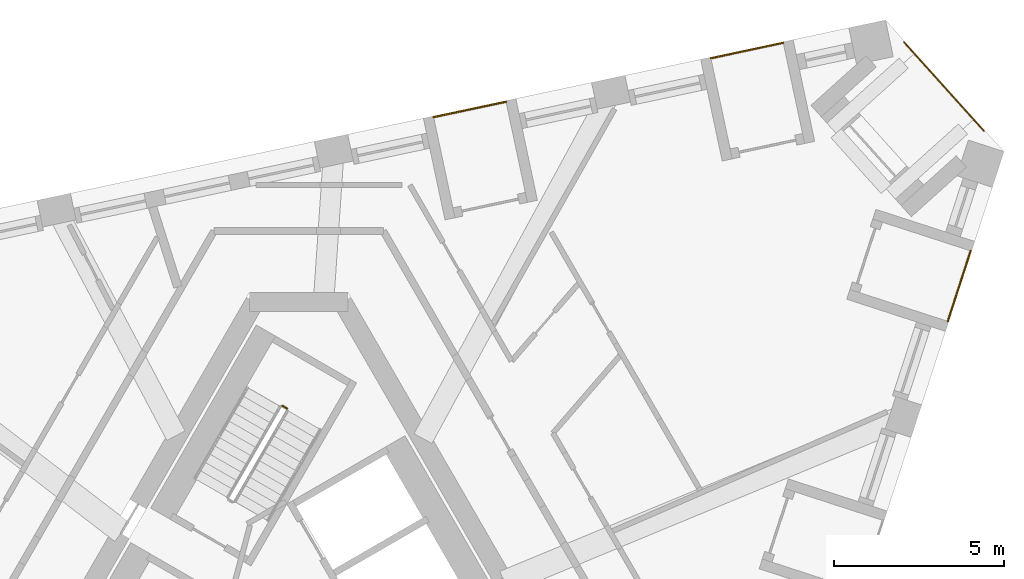
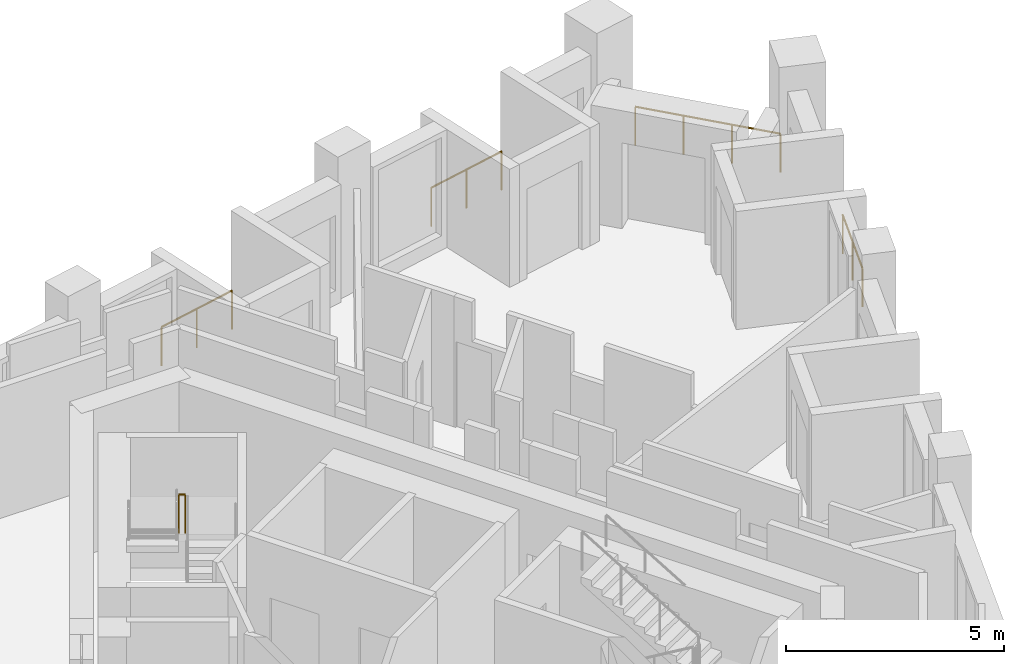
# One storey, part 12 of 12: 5 railings.
"""IFC4 building model written with IfcOpenShell, lengths in metres."""

import ifcopenshell
import ifcopenshell.guid

model = None  # the IFC model being written
_history = None  # IfcOwnerHistory: only IFC2X3 demands one
_inside = {}  # id of a spatial element -> (the spatial element, [elements in it])
_under = {}  # id of a project, library or spatial element -> (it, [spatial elements below it])
_declared = {}  # id of a project -> (the project, [libraries it declares])
_typed = {}  # id of a type object -> (the type object, [elements of that type])
_made_of = {}  # id of a material, layer set ... -> (it, [elements and type objects made of it])


def new_model(schema):
    """Start an empty IFC model of exactly this schema.

    Asked for "IFC4X3", IfcOpenShell would pick the latest addendum, in which some entities
    have other attributes; the version numbers below select the first issue.
    IFC2X3 requires an IfcOwnerHistory on every rooted entity: one is made here for all.
    """
    global model, _history
    if schema == "IFC4X3":
        model = ifcopenshell.file(schema_version=(4, 3, 0, 0))
    else:
        model = ifcopenshell.file(schema=schema)
    _inside.clear()
    _under.clear()
    _declared.clear()
    _typed.clear()
    _made_of.clear()
    _history = None
    if model.schema == "IFC2X3":
        org = make("IfcOrganization", Name="unknown")
        user = make(
            "IfcPersonAndOrganization",
            ThePerson=make("IfcPerson", FamilyName="unknown"),
            TheOrganization=org,
        )
        app = make(
            "IfcApplication",
            ApplicationDeveloper=org,
            Version="unknown",
            ApplicationFullName="unknown",
            ApplicationIdentifier="unknown",
        )
        _history = make(
            "IfcOwnerHistory",
            OwningUser=user,
            OwningApplication=app,
            ChangeAction="ADDED",
            CreationDate=0,
        )
    return model


def make(cls, **values):
    """One entity of the class cls with the attributes given. An attribute that is None is left unset."""
    return model.create_entity(
        cls, **{name: value for name, value in values.items() if value is not None}
    )


def rooted(cls, **values):
    """An entity with a GlobalId (a new one), such as an element, a storey or a relation."""
    return make(cls, GlobalId=ifcopenshell.guid.new(), OwnerHistory=_history, **values)


def si_unit(unit_type, name, prefix=None):
    """IfcSIUnit, for example si_unit("LENGTHUNIT", "METRE", prefix="MILLI")."""
    return make("IfcSIUnit", UnitType=unit_type, Prefix=prefix, Name=name)


def assignment(units):
    """IfcUnitAssignment: the units of a project."""
    return None if units is None else make("IfcUnitAssignment", Units=units)


def point(xyz):
    """IfcCartesianPoint."""
    return None if xyz is None else make("IfcCartesianPoint", Coordinates=xyz)


def direction(xyz):
    """IfcDirection."""
    return None if xyz is None else make("IfcDirection", DirectionRatios=xyz)


def frame(location, z_axis=None, x_axis=None):
    """IfcAxis2Placement3D, a coordinate frame: its origin and axes. An axis left out is left unset."""
    return make(
        "IfcAxis2Placement3D",
        Location=point(location),
        Axis=direction(z_axis),
        RefDirection=direction(x_axis),
    )


def frame_2d(location, x_axis=None):
    """IfcAxis2Placement2D, a coordinate frame in the plane: its origin and x axis."""
    return make(
        "IfcAxis2Placement2D", Location=point(location), RefDirection=direction(x_axis)
    )


def origin():
    """The frame at (0, 0, 0) with its axes left unset."""
    return frame((0.0, 0.0, 0.0))


def origin_2d():
    """The frame at (0, 0) in the plane with its x axis left unset."""
    return frame_2d((0.0, 0.0))


def place(relative_to, where):
    """IfcLocalPlacement: puts the frame where relative to a parent placement (None: the world)."""
    return make(
        "IfcLocalPlacement", PlacementRelTo=relative_to, RelativePlacement=where
    )


def context(
    kind, dimensions, precision=None, world=None, true_north=None, identifier=None
):
    """IfcGeometricRepresentationContext, for example the 3D "Model" context."""
    return make(
        "IfcGeometricRepresentationContext",
        ContextIdentifier=identifier,
        ContextType=kind,
        CoordinateSpaceDimension=dimensions,
        Precision=precision,
        WorldCoordinateSystem=world,
        TrueNorth=true_north,
    )


def subcontext(parent, identifier, kind, view, scale=None):
    """IfcGeometricRepresentationSubContext, for example "Body" below "Model"."""
    return make(
        "IfcGeometricRepresentationSubContext",
        ContextIdentifier=identifier,
        ContextType=kind,
        ParentContext=parent,
        TargetScale=scale,
        TargetView=view,
    )


def project(units=None, contexts=None):
    """IfcProject with its units and contexts."""
    return rooted(
        "IfcProject",
        Name="project",
        RepresentationContexts=contexts,
        UnitsInContext=assignment(units),
    )


def spatial(cls, under=None, at=None, **own):
    """A site, building, storey or space (cls), placed at a placement, below another one or the project."""
    s = rooted(cls, ObjectPlacement=at, **own)
    if under is not None:
        _under.setdefault(under.id(), (under, []))[1].append(s)
    return s


def profile(cls, at=None, kind="AREA", **sizes):
    """A parametric profile (cls). Its sizes go by their IFC names, for example OverallWidth=200.0."""
    return make(cls, ProfileType=kind, Position=at, **sizes)


def circle(**sizes):
    """IfcCircleProfileDef."""
    return profile("IfcCircleProfileDef", **sizes)


def extrude(swept, where, along, depth):
    """IfcExtrudedAreaSolid: the profile swept, set in the frame where, extruded along a direction by depth."""
    return make(
        "IfcExtrudedAreaSolid",
        SweptArea=swept,
        Position=where,
        ExtrudedDirection=direction(along),
        Depth=depth,
    )


def shape(context_of_items, identifier, shape_type, items):
    """IfcShapeRepresentation: the items that make up one representation, for example the "Body"."""
    return make(
        "IfcShapeRepresentation",
        ContextOfItems=context_of_items,
        RepresentationIdentifier=identifier,
        RepresentationType=shape_type,
        Items=items,
    )


def material(Name=None, Category=None):
    """IfcMaterial."""
    return make("IfcMaterial", Name=Name, Category=Category)


def made_of(thing, what):
    """Note that an element or type object is made of a material, layer set ...; save() writes the relation."""
    if what is not None:
        _made_of.setdefault(what.id(), (what, []))[1].append(thing)
    return thing


def type_object(cls, material=None, **own):
    """A type object (cls), such as IfcWallType, which elements share."""
    return made_of(rooted(cls, **own), material)


def element(
    cls,
    number,
    at=None,
    inside=None,
    cuts=None,
    type_object=None,
    material=None,
    context=None,
    identifier="Body",
    shape_type=None,
    held_by="IfcProductDefinitionShape",
    body=None,
    shapes=None,
    **own,
):
    """One element of the class cls, such as IfcWall. Its Tag is "e" and its number.

    at: its placement. inside: the storey or other place that contains it. cuts: it is an
    opening in that element (IfcRelVoidsElement). A single representation is given by context,
    identifier, shape_type and body (its items); several are given by shapes. held_by: the class
    of the entity that holds the representations. save() writes the other relations.
    """
    e = rooted(cls, Tag="e%d" % number, ObjectPlacement=at, **own)
    if body is not None:
        shapes = [shape(context, identifier, shape_type, body)]
    if shapes is not None:
        e.Representation = make(held_by, Representations=shapes)
    if inside is not None:
        _inside.setdefault(inside.id(), (inside, []))[1].append(e)
    if cuts is not None:
        rooted(
            "IfcRelVoidsElement", RelatingBuildingElement=cuts, RelatedOpeningElement=e
        )
    if type_object is not None:
        _typed.setdefault(type_object.id(), (type_object, []))[1].append(e)
    return made_of(e, material)


def aggregate(whole, parts):
    """IfcRelAggregates: a whole, such as a stair, and the parts it consists of."""
    return rooted("IfcRelAggregates", RelatingObject=whole, RelatedObjects=parts)


def save(model, path):
    """Write the relations noted so far, then the file.

    IfcRelAggregates (storeys below a building ...), IfcRelContainedInSpatialStructure (elements
    in a storey), IfcRelDefinesByType, IfcRelAssociatesMaterial and IfcRelDeclares: one each for
    every whole, place, type object, material and project.
    """
    for whole, parts in _under.values():
        aggregate(whole, parts)
    for where, things in _inside.values():
        rooted(
            "IfcRelContainedInSpatialStructure",
            RelatedElements=things,
            RelatingStructure=where,
        )
    for kind, things in _typed.values():
        rooted("IfcRelDefinesByType", RelatedObjects=things, RelatingType=kind)
    for what, things in _made_of.values():
        rooted("IfcRelAssociatesMaterial", RelatedObjects=things, RelatingMaterial=what)
    for by, libraries in _declared.values():
        rooted("IfcRelDeclares", RelatingContext=by, RelatedDefinitions=libraries)
    model.write(path)


model = new_model("IFC4")

# Units and contexts
model_context = context("Model", 3, precision=1e-05, world=origin(), true_north=direction((0.0, 1.0)))
body_context = subcontext(model_context, "Body", "Model", "MODEL_VIEW")
ifc_project = project(units=[si_unit("LENGTHUNIT", "METRE"), si_unit("AREAUNIT", "SQUARE_METRE"), si_unit("VOLUMEUNIT", "CUBIC_METRE"), si_unit("PLANEANGLEUNIT", "RADIAN"), si_unit("MASSUNIT", "GRAM", prefix="KILO")], contexts=[model_context])

# Site, building, storey
site_placement = place(None, origin())
site = spatial("IfcSite", under=ifc_project, at=site_placement, CompositionType="ELEMENT")
building_placement = place(site_placement, origin())
building = spatial("IfcBuilding", under=site, at=building_placement, Name="Tramontana Tower", CompositionType="ELEMENT")
storey_placement = place(building_placement, frame((0.0, 0.0, 320.39990234375)))
storey = spatial("IfcBuildingStorey", under=building, at=storey_placement, Name="L73", CompositionType="ELEMENT", Elevation=320.39990234375)

# Railings
ifc_material_1 = material(Name="Laminated glass balustrade", Category="glass")
railing_type_1 = type_object("IfcRailingType", Name="GD1 Loggia glass balustrade 1100", PredefinedType="BALUSTRADE", material=ifc_material_1)
railing_1_placement = place(storey_placement, frame((19.0400390625, 10.1552734375, 0.0)))
element("IfcRailing", 1, at=railing_1_placement, inside=storey, type_object=railing_type_1, Name="Loggia balustrade L73 G8S1.13", PredefinedType="BALUSTRADE", context=body_context, shape_type="SweptSolid", body=[
    extrude(circle(Radius=0.02392578125, at=origin_2d()), frame((0.0, 0.0, 1.076171875), z_axis=(0.308966581759, 0.95107289487, 0.0), x_axis=(-0.95107289487, 0.308966581759, 0.0)), (0.0, 0.0, 1.0), 2.17138671875),
    extrude(circle(Radius=0.02099609375, at=origin_2d()), origin(), (0.0, 0.0, 1.0), 1.052001953125),
    extrude(circle(Radius=0.02099609375, at=origin_2d()), frame((0.33544921875, 1.03271484375, 0.0)), (0.0, 0.0, 1.0), 1.052001953125),
    extrude(circle(Radius=0.02099609375, at=origin_2d()), frame((0.6708984375, 2.065185546875, 0.0)), (0.0, 0.0, 1.0), 1.052001953125),
])
for number, where, name in (
    (2, (14.2138671875, 18.32568359375, 0.0), "Loggia balustrade L73 G8S2.1"),
    (3, (6.08154296875, 16.59716796875, 0.0), "Loggia balustrade L73 G8S2.4"),
):
    element("IfcRailing", number, at=place(storey_placement, frame(where)), inside=storey, type_object=railing_type_1, Name=name, PredefinedType="BALUSTRADE", context=body_context, shape_type="SweptSolid", body=[
        extrude(circle(Radius=0.02392578125, at=origin_2d()), frame((0.0, 0.0, 1.076171875), z_axis=(-0.978148276005, -0.207908513891, 0.0), x_axis=(0.207908513891, -0.978148276005, 0.0)), (0.0, 0.0, 1.0), 2.171142578125),
        extrude(circle(Radius=0.02099609375, at=origin_2d()), origin(), (0.0, 0.0, 1.0), 1.052001953125),
        extrude(circle(Radius=0.02099609375, at=origin_2d()), frame((-1.06201171875, -0.2255859375, 0.0)), (0.0, 0.0, 1.0), 1.052001953125),
        extrude(circle(Radius=0.02099609375, at=origin_2d()), frame((-2.123779296875, -0.451416015625, 0.0)), (0.0, 0.0, 1.0), 1.052001953125),
    ])
railing_2_placement = place(storey_placement, frame((17.7568359375, 18.34326171875, 0.0)))
element("IfcRailing", 4, at=railing_2_placement, inside=storey, type_object=railing_type_1, Name="Corner loggia balustrade L73 K82", PredefinedType="BALUSTRADE", context=body_context, shape_type="SweptSolid", body=[
    extrude(circle(Radius=0.02392578125, at=origin_2d()), frame((0.0, 0.0, 1.076171875), z_axis=(0.669134277936, -0.743141519559, 0.0), x_axis=(0.743141519559, 0.669134277936, 0.0)), (0.0, 0.0, 1.0), 3.5),
    extrude(circle(Radius=0.02099609375, at=origin_2d()), origin(), (0.0, 0.0, 1.0), 1.052001953125),
    extrude(circle(Radius=0.02099609375, at=origin_2d()), frame((0.78076171875, -0.866943359375, 0.0)), (0.0, 0.0, 1.0), 1.052001953125),
    extrude(circle(Radius=0.02099609375, at=origin_2d()), frame((1.561279296875, -1.734130859375, 0.0)), (0.0, 0.0, 1.0), 1.052001953125),
    extrude(circle(Radius=0.02099609375, at=origin_2d()), frame((2.342041015625, -2.60107421875, 0.0)), (0.0, 0.0, 1.0), 1.052001953125),
])
ifc_material_2 = material(Name="Painted steel", Category="steel")
railing_type_2 = type_object("IfcRailingType", Name="STAIR GUARD 1100", PredefinedType="GUARDRAIL", material=ifc_material_2)
railing_3_placement = place(storey_placement, frame((-0.345703125, 7.601318359375, 2.0)))
element("IfcRailing", 5, at=railing_3_placement, inside=storey, type_object=railing_type_2, Name="L73 ST1 stair guard 3", PredefinedType="GUARDRAIL", context=body_context, shape_type="SweptSolid", body=[
    extrude(circle(Radius=0.02392578125, at=origin_2d()), frame((0.0, 0.0, 1.076171875), z_axis=(-0.866131372301, 0.499816412211, 0.0), x_axis=(-0.499816412211, -0.866131372301, 0.0)), (0.0, 0.0, 1.0), 0.14990234375),
    extrude(circle(Radius=0.02099609375, at=origin_2d()), origin(), (0.0, 0.0, 1.0), 1.052001953125),
    extrude(circle(Radius=0.02099609375, at=origin_2d()), frame((-0.1298828125, 0.074951171875, 0.0)), (0.0, 0.0, 1.0), 1.052001953125),
])

save(model, "model.ifc")
